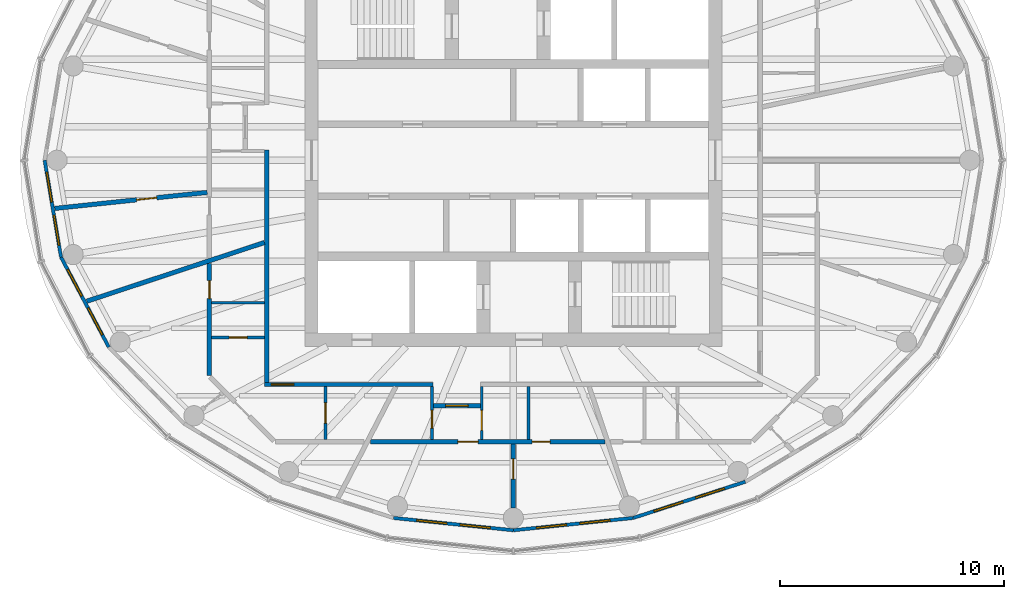
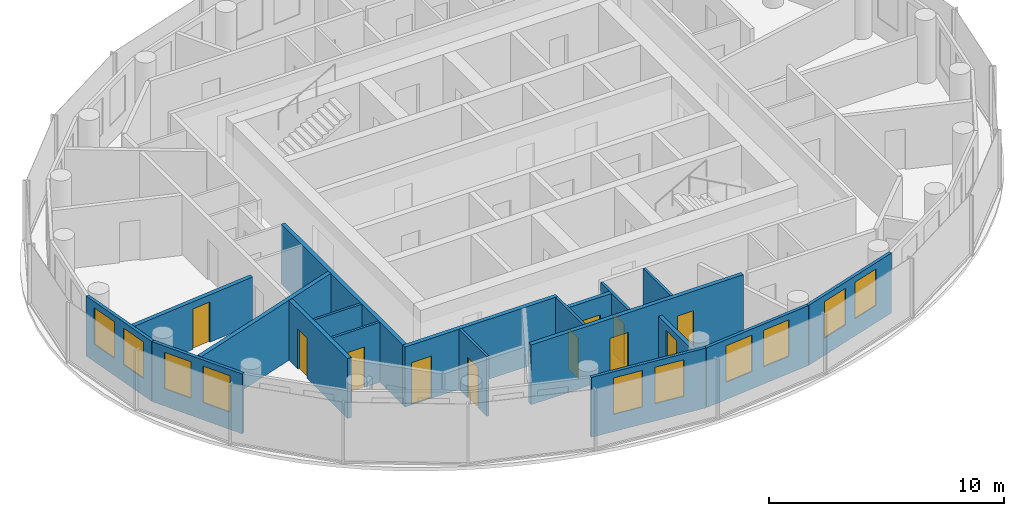
# One storey, part 5 of 11: 19 walls, 11 doors, 10 windows, 21 openings.
"""IFC4 building model written with IfcOpenShell, lengths in metres."""

from ifc_helpers import new_model, si_unit, direction, frame, frame_2d, origin, place, context, subcontext, project, spatial, rectangle, extrude, material, layer, layer_set, type_object, element, fill, save


model = new_model("IFC4")

# Units and contexts
model_context = context("Model", 3, precision=1e-05, world=origin(), true_north=direction((0.0, 1.0)))
body_context = subcontext(model_context, "Body", "Model", "MODEL_VIEW")
ifc_project = project(units=[si_unit("LENGTHUNIT", "METRE"), si_unit("AREAUNIT", "SQUARE_METRE"), si_unit("VOLUMEUNIT", "CUBIC_METRE"), si_unit("PLANEANGLEUNIT", "RADIAN"), si_unit("MASSUNIT", "GRAM", prefix="KILO")], contexts=[model_context])

# Site, building, storey
site_placement = place(None, origin())
site = spatial("IfcSite", under=ifc_project, at=site_placement, CompositionType="ELEMENT")
building_placement = place(site_placement, origin())
building = spatial("IfcBuilding", under=site, at=building_placement, Name="Hankou Lantern Tower", CompositionType="ELEMENT")
storey_placement = place(building_placement, frame((0.0, 0.0, 202.800048828125)))
storey = spatial("IfcBuildingStorey", under=building, at=storey_placement, Name="L54", CompositionType="ELEMENT", Elevation=202.800048828125)

# Wall, openings, windows
ifc_material_1 = material(Name="Aluminium spandrel panel on steel studs", Category="steel")
ifc_layer_1 = layer(ifc_material_1, 0.14990234375)
ifc_layer_set_1 = layer_set([ifc_layer_1], Name="Aluminium spandrel panel on steel studs")
wall_type_1 = type_object("IfcWallType", Name="EW1 INNER SKIN WALL 150", PredefinedType="ELEMENTEDWALL", material=ifc_layer_set_1)
wall_1_placement = place(storey_placement, frame((-20.89990234375, 0.0, 0.0), z_axis=(0.0, 0.0, 1.0), x_axis=(0.166538513568, -0.986034950445, 0.0)))
wall_1 = element("IfcWall", 1, at=wall_1_placement, inside=storey, type_object=wall_type_1, Name="Inner skin R13-R14 L54", PredefinedType="ELEMENTEDWALL", context=body_context, shape_type="SweptSolid", body=[
    extrude(rectangle(XDim=4.384765625, YDim=0.14990234375, at=frame_2d((2.1923828125, 0.0))), origin(), (0.0, 0.0, 1.0), 3.119873046875),
])
opening_1_placement = place(wall_1_placement, frame((0.54248046875, 0.0, 0.89990234375)))
opening_1 = element("IfcOpeningElement", 2, at=opening_1_placement, cuts=wall_1, Name="Opening W4", PredefinedType="OPENING", context=body_context, shape_type="SweptSolid", body=[
    extrude(rectangle(XDim=1.35009765625, YDim=1.89990234375, at=frame_2d((0.675048828125, 0.949951171875))), frame((0.0, 0.0849609375, 0.0), z_axis=(0.0, -1.0, 0.0), x_axis=(1.0, 0.0, 0.0)), (0.0, 0.0, 1.0), 0.169921875),
])
opening_2_placement = place(wall_1_placement, frame((2.492431640625, 0.0, 0.89990234375)))
opening_2 = element("IfcOpeningElement", 3, at=opening_2_placement, cuts=wall_1, Name="Opening W4", PredefinedType="OPENING", context=body_context, shape_type="SweptSolid", body=[
    extrude(rectangle(XDim=1.35009765625, YDim=1.89990234375, at=frame_2d((0.675048828125, 0.949951171875))), frame((0.0, 0.0849609375, 0.0), z_axis=(0.0, -1.0, 0.0), x_axis=(1.0, 0.0, 0.0)), (0.0, 0.0, 1.0), 0.169921875),
])
ifc_material_2 = material(Name="Aluminium framed double glazed window", Category="aluminium")
window_type = type_object("IfcWindowType", Name="W4 SUITE WINDOW 1350X1900", PartitioningType="DOUBLE_PANEL_VERTICAL", PredefinedType="WINDOW", material=ifc_material_2)
window_1_placement = place(opening_1_placement, origin())
window_1 = element("IfcWindow", 4, at=window_1_placement, inside=storey, type_object=window_type, Name="Window R13.1 L54", OverallHeight=1.89990234375, OverallWidth=1.35009765625, PartitioningType="SINGLE_PANEL", PredefinedType="WINDOW", context=body_context, shape_type="SweptSolid", body=[
    extrude(rectangle(XDim=1.35009765625, YDim=1.89990234375, at=frame_2d((0.675048828125, 0.949951171875))), frame((0.0, 0.030029296875, 0.0), z_axis=(0.0, -1.0, 0.0), x_axis=(1.0, 0.0, 0.0)), (0.0, 0.0, 1.0), 0.06005859375),
])
fill(opening_1, window_1)
window_2_placement = place(opening_2_placement, origin())
window_2 = element("IfcWindow", 5, at=window_2_placement, inside=storey, type_object=window_type, Name="Window R13.2 L54", OverallHeight=1.89990234375, OverallWidth=1.35009765625, PartitioningType="SINGLE_PANEL", PredefinedType="WINDOW", context=body_context, shape_type="SweptSolid", body=[
    extrude(rectangle(XDim=1.35009765625, YDim=1.89990234375, at=frame_2d((0.675048828125, 0.949951171875))), frame((0.0, 0.030029296875, 0.0), z_axis=(0.0, -1.0, 0.0), x_axis=(1.0, 0.0, 0.0)), (0.0, 0.0, 1.0), 0.06005859375),
])
fill(opening_2, window_2)

wall_2_placement = place(storey_placement, frame((-20.169677734375, -4.323486328125, 0.0), z_axis=(0.0, 0.0, 1.0), x_axis=(0.469256152955, -0.883062094597, 0.0)))
wall_2 = element("IfcWall", 6, at=wall_2_placement, inside=storey, type_object=wall_type_1, Name="Inner skin R14-R15 L54", PredefinedType="ELEMENTEDWALL", context=body_context, shape_type="SweptSolid", body=[
    extrude(rectangle(XDim=4.539306640625, YDim=0.14990234375, at=frame_2d((2.26953125, 0.0))), origin(), (0.0, 0.0, 1.0), 3.119873046875),
])
opening_3_placement = place(wall_2_placement, frame((0.61962890625, 0.0, 0.89990234375)))
opening_3 = element("IfcOpeningElement", 7, at=opening_3_placement, cuts=wall_2, Name="Opening W4", PredefinedType="OPENING", context=body_context, shape_type="SweptSolid", body=[
    extrude(rectangle(XDim=1.35009765625, YDim=1.89990234375, at=frame_2d((0.675048828125, 0.949951171875))), frame((0.0, 0.0849609375, 0.0), z_axis=(0.0, -1.0, 0.0), x_axis=(1.0, 0.0, 0.0)), (0.0, 0.0, 1.0), 0.169921875),
])
opening_4_placement = place(wall_2_placement, frame((2.569580078125, 0.0, 0.89990234375)))
opening_4 = element("IfcOpeningElement", 8, at=opening_4_placement, cuts=wall_2, Name="Opening W4", PredefinedType="OPENING", context=body_context, shape_type="SweptSolid", body=[
    extrude(rectangle(XDim=1.35009765625, YDim=1.89990234375, at=frame_2d((0.675048828125, 0.949951171875))), frame((0.0, 0.0849609375, 0.0), z_axis=(0.0, -1.0, 0.0), x_axis=(1.0, 0.0, 0.0)), (0.0, 0.0, 1.0), 0.169921875),
])
window_3_placement = place(opening_3_placement, origin())
window_3 = element("IfcWindow", 9, at=window_3_placement, inside=storey, type_object=window_type, Name="Window R14.1 L54", OverallHeight=1.89990234375, OverallWidth=1.35009765625, PartitioningType="SINGLE_PANEL", PredefinedType="WINDOW", context=body_context, shape_type="SweptSolid", body=[
    extrude(rectangle(XDim=1.35009765625, YDim=1.89990234375, at=frame_2d((0.675048828125, 0.949951171875))), frame((0.0, 0.030029296875, 0.0), z_axis=(0.0, -1.0, 0.0), x_axis=(1.0, 0.0, 0.0)), (0.0, 0.0, 1.0), 0.06005859375),
])
fill(opening_3, window_3)
window_4_placement = place(opening_4_placement, origin())
window_4 = element("IfcWindow", 10, at=window_4_placement, inside=storey, type_object=window_type, Name="Window R14.2 L54", OverallHeight=1.89990234375, OverallWidth=1.35009765625, PartitioningType="SINGLE_PANEL", PredefinedType="WINDOW", context=body_context, shape_type="SweptSolid", body=[
    extrude(rectangle(XDim=1.35009765625, YDim=1.89990234375, at=frame_2d((0.675048828125, 0.949951171875))), frame((0.0, 0.030029296875, 0.0), z_axis=(0.0, -1.0, 0.0), x_axis=(1.0, 0.0, 0.0)), (0.0, 0.0, 1.0), 0.06005859375),
])
fill(opening_4, window_4)

wall_3_placement = place(storey_placement, frame((-5.3427734375, -15.95166015625, 0.0), z_axis=(0.0, 0.0, 1.0), x_axis=(0.994774574972, -0.102095763818, 0.0)))
wall_3 = element("IfcWall", 11, at=wall_3_placement, inside=storey, type_object=wall_type_1, Name="Inner skin R18-R19 L54", PredefinedType="ELEMENTEDWALL", context=body_context, shape_type="SweptSolid", body=[
    extrude(rectangle(XDim=5.370849609375, YDim=0.14990234375, at=frame_2d((2.685546875, 0.0))), origin(), (0.0, 0.0, 1.0), 3.119873046875),
])
opening_5_placement = place(wall_3_placement, frame((1.035400390625, 0.0, 0.89990234375)))
opening_5 = element("IfcOpeningElement", 12, at=opening_5_placement, cuts=wall_3, Name="Opening W4", PredefinedType="OPENING", context=body_context, shape_type="SweptSolid", body=[
    extrude(rectangle(XDim=1.35009765625, YDim=1.89990234375, at=frame_2d((0.675048828125, 0.949951171875))), frame((0.0, 0.0849609375, 0.0), z_axis=(0.0, -1.0, 0.0), x_axis=(1.0, 0.0, 0.0)), (0.0, 0.0, 1.0), 0.169921875),
])
opening_6_placement = place(wall_3_placement, frame((2.9853515625, 0.0, 0.89990234375)))
opening_6 = element("IfcOpeningElement", 13, at=opening_6_placement, cuts=wall_3, Name="Opening W4", PredefinedType="OPENING", context=body_context, shape_type="SweptSolid", body=[
    extrude(rectangle(XDim=1.35009765625, YDim=1.89990234375, at=frame_2d((0.675048828125, 0.949951171875))), frame((0.0, 0.0849609375, 0.0), z_axis=(0.0, -1.0, 0.0), x_axis=(1.0, 0.0, 0.0)), (0.0, 0.0, 1.0), 0.169921875),
])
window_5_placement = place(opening_5_placement, origin())
window_5 = element("IfcWindow", 14, at=window_5_placement, inside=storey, type_object=window_type, Name="Window R18.1 L54", OverallHeight=1.89990234375, OverallWidth=1.35009765625, PartitioningType="SINGLE_PANEL", PredefinedType="WINDOW", context=body_context, shape_type="SweptSolid", body=[
    extrude(rectangle(XDim=1.35009765625, YDim=1.89990234375, at=frame_2d((0.675048828125, 0.949951171875))), frame((0.0, 0.030029296875, 0.0), z_axis=(0.0, -1.0, 0.0), x_axis=(1.0, 0.0, 0.0)), (0.0, 0.0, 1.0), 0.06005859375),
])
fill(opening_5, window_5)
window_6_placement = place(opening_6_placement, origin())
window_6 = element("IfcWindow", 15, at=window_6_placement, inside=storey, type_object=window_type, Name="Window R18.2 L54", OverallHeight=1.89990234375, OverallWidth=1.35009765625, PartitioningType="SINGLE_PANEL", PredefinedType="WINDOW", context=body_context, shape_type="SweptSolid", body=[
    extrude(rectangle(XDim=1.35009765625, YDim=1.89990234375, at=frame_2d((0.675048828125, 0.949951171875))), frame((0.0, 0.030029296875, 0.0), z_axis=(0.0, -1.0, 0.0), x_axis=(1.0, 0.0, 0.0)), (0.0, 0.0, 1.0), 0.06005859375),
])
fill(opening_6, window_6)

wall_4_placement = place(storey_placement, frame((0.0, -16.5, 0.0), z_axis=(0.0, 0.0, 1.0), x_axis=(0.994774574972, 0.102095763818, 0.0)))
wall_4 = element("IfcWall", 16, at=wall_4_placement, inside=storey, type_object=wall_type_1, Name="Inner skin R19-R20 L54", PredefinedType="ELEMENTEDWALL", context=body_context, shape_type="SweptSolid", body=[
    extrude(rectangle(XDim=5.370849609375, YDim=0.14990234375, at=frame_2d((2.685546875, 0.0))), origin(), (0.0, 0.0, 1.0), 3.119873046875),
])
opening_7_placement = place(wall_4_placement, frame((1.035400390625, 0.0, 0.89990234375)))
opening_7 = element("IfcOpeningElement", 17, at=opening_7_placement, cuts=wall_4, Name="Opening W4", PredefinedType="OPENING", context=body_context, shape_type="SweptSolid", body=[
    extrude(rectangle(XDim=1.35009765625, YDim=1.89990234375, at=frame_2d((0.675048828125, 0.949951171875))), frame((0.0, 0.0849609375, 0.0), z_axis=(0.0, -1.0, 0.0), x_axis=(1.0, 0.0, 0.0)), (0.0, 0.0, 1.0), 0.169921875),
])
opening_8_placement = place(wall_4_placement, frame((2.9853515625, 0.0, 0.89990234375)))
opening_8 = element("IfcOpeningElement", 18, at=opening_8_placement, cuts=wall_4, Name="Opening W4", PredefinedType="OPENING", context=body_context, shape_type="SweptSolid", body=[
    extrude(rectangle(XDim=1.35009765625, YDim=1.89990234375, at=frame_2d((0.675048828125, 0.949951171875))), frame((0.0, 0.0849609375, 0.0), z_axis=(0.0, -1.0, 0.0), x_axis=(1.0, 0.0, 0.0)), (0.0, 0.0, 1.0), 0.169921875),
])
window_7_placement = place(opening_7_placement, origin())
window_7 = element("IfcWindow", 19, at=window_7_placement, inside=storey, type_object=window_type, Name="Window R19.1 L54", OverallHeight=1.89990234375, OverallWidth=1.35009765625, PartitioningType="SINGLE_PANEL", PredefinedType="WINDOW", context=body_context, shape_type="SweptSolid", body=[
    extrude(rectangle(XDim=1.35009765625, YDim=1.89990234375, at=frame_2d((0.675048828125, 0.949951171875))), frame((0.0, 0.030029296875, 0.0), z_axis=(0.0, -1.0, 0.0), x_axis=(1.0, 0.0, 0.0)), (0.0, 0.0, 1.0), 0.06005859375),
])
fill(opening_7, window_7)
window_8_placement = place(opening_8_placement, origin())
window_8 = element("IfcWindow", 20, at=window_8_placement, inside=storey, type_object=window_type, Name="Window R19.2 L54", OverallHeight=1.89990234375, OverallWidth=1.35009765625, PartitioningType="SINGLE_PANEL", PredefinedType="WINDOW", context=body_context, shape_type="SweptSolid", body=[
    extrude(rectangle(XDim=1.35009765625, YDim=1.89990234375, at=frame_2d((0.675048828125, 0.949951171875))), frame((0.0, 0.030029296875, 0.0), z_axis=(0.0, -1.0, 0.0), x_axis=(1.0, 0.0, 0.0)), (0.0, 0.0, 1.0), 0.06005859375),
])
fill(opening_8, window_8)

wall_5_placement = place(storey_placement, frame((5.3427734375, -15.95166015625, 0.0), z_axis=(0.0, 0.0, 1.0), x_axis=(0.951644702515, 0.307200846638, 0.0)))
wall_5 = element("IfcWall", 21, at=wall_5_placement, inside=storey, type_object=wall_type_1, Name="Inner skin R20-R21 L54", PredefinedType="ELEMENTEDWALL", context=body_context, shape_type="SweptSolid", body=[
    extrude(rectangle(XDim=5.2578125, YDim=0.14990234375, at=frame_2d((2.62890625, 0.0))), origin(), (0.0, 0.0, 1.0), 3.119873046875),
])
opening_9_placement = place(wall_5_placement, frame((0.97900390625, 0.0, 0.89990234375)))
opening_9 = element("IfcOpeningElement", 22, at=opening_9_placement, cuts=wall_5, Name="Opening W4", PredefinedType="OPENING", context=body_context, shape_type="SweptSolid", body=[
    extrude(rectangle(XDim=1.35009765625, YDim=1.89990234375, at=frame_2d((0.675048828125, 0.949951171875))), frame((0.0, 0.0849609375, 0.0), z_axis=(0.0, -1.0, 0.0), x_axis=(1.0, 0.0, 0.0)), (0.0, 0.0, 1.0), 0.169921875),
])
opening_10_placement = place(wall_5_placement, frame((2.928955078125, 0.0, 0.89990234375)))
opening_10 = element("IfcOpeningElement", 23, at=opening_10_placement, cuts=wall_5, Name="Opening W4", PredefinedType="OPENING", context=body_context, shape_type="SweptSolid", body=[
    extrude(rectangle(XDim=1.35009765625, YDim=1.89990234375, at=frame_2d((0.675048828125, 0.949951171875))), frame((0.0, 0.0849609375, 0.0), z_axis=(0.0, -1.0, 0.0), x_axis=(1.0, 0.0, 0.0)), (0.0, 0.0, 1.0), 0.169921875),
])
window_9_placement = place(opening_9_placement, origin())
window_9 = element("IfcWindow", 24, at=window_9_placement, inside=storey, type_object=window_type, Name="Window R20.1 L54", OverallHeight=1.89990234375, OverallWidth=1.35009765625, PartitioningType="SINGLE_PANEL", PredefinedType="WINDOW", context=body_context, shape_type="SweptSolid", body=[
    extrude(rectangle(XDim=1.35009765625, YDim=1.89990234375, at=frame_2d((0.675048828125, 0.949951171875))), frame((0.0, 0.030029296875, 0.0), z_axis=(0.0, -1.0, 0.0), x_axis=(1.0, 0.0, 0.0)), (0.0, 0.0, 1.0), 0.06005859375),
])
fill(opening_9, window_9)
window_10_placement = place(opening_10_placement, origin())
window_10 = element("IfcWindow", 25, at=window_10_placement, inside=storey, type_object=window_type, Name="Window R20.2 L54", OverallHeight=1.89990234375, OverallWidth=1.35009765625, PartitioningType="SINGLE_PANEL", PredefinedType="WINDOW", context=body_context, shape_type="SweptSolid", body=[
    extrude(rectangle(XDim=1.35009765625, YDim=1.89990234375, at=frame_2d((0.675048828125, 0.949951171875))), frame((0.0, 0.030029296875, 0.0), z_axis=(0.0, -1.0, 0.0), x_axis=(1.0, 0.0, 0.0)), (0.0, 0.0, 1.0), 0.06005859375),
])
fill(opening_10, window_10)

# Wall
ifc_material_3 = material(Name="Masonry lightweight concrete block", Category="masonry")
ifc_layer_2 = layer(ifc_material_3, 0.199951171875)
ifc_layer_set_2 = layer_set([ifc_layer_2], Name="Masonry lightweight concrete block")
wall_type_2 = type_object("IfcWallType", Name="IW1 GUEST ROOM PARTY WALL 200", PredefinedType="PARTITIONING", material=ifc_layer_set_2)
wall_6_placement = place(storey_placement, frame((-11.10009765625, -3.668701171875, 0.0), z_axis=(0.0, 0.0, 1.0), x_axis=(-0.949476668397, -0.313837627079, 0.0)))
element("IfcWall", 26, at=wall_6_placement, inside=storey, type_object=wall_type_2, Name="Party wall R14-R15", PredefinedType="PARTITIONING", context=body_context, shape_type="SweptSolid", body=[
    extrude(rectangle(XDim=8.338623046875, YDim=0.199951171875, at=frame_2d((4.16943359375, 0.0))), origin(), (0.0, 0.0, 1.0), 3.119873046875),
])

# Wall, opening, door
ifc_material_4 = material(Name="Masonry lightweight concrete block", Category="masonry")
ifc_layer_3 = layer(ifc_material_4, 0.199951171875)
ifc_layer_set_3 = layer_set([ifc_layer_3], Name="Masonry lightweight concrete block")
wall_type_3 = type_object("IfcWallType", Name="IW2 CORRIDOR WALL 200", PredefinedType="PARTITIONING", material=ifc_layer_set_3)
wall_7_placement = place(storey_placement, frame((-3.578857421875, -10.0, 0.0), z_axis=(0.0, 0.0, 1.0), x_axis=(-1.0, 0.0, 0.0)))
wall_7 = element("IfcWall", 27, at=wall_7_placement, inside=storey, type_object=wall_type_3, Name="Corridor wall south", PredefinedType="PARTITIONING", context=body_context, shape_type="SweptSolid", body=[
    extrude(rectangle(XDim=7.521240234375, YDim=0.199951171875, at=frame_2d((3.7607421875, 0.0))), origin(), (0.0, 0.0, 1.0), 3.119873046875),
])
opening_11_placement = place(wall_7_placement, frame((6.205810546875, 0.0, 0.0)))
opening_11 = element("IfcOpeningElement", 28, at=opening_11_placement, cuts=wall_7, Name="Opening D2", PredefinedType="OPENING", context=body_context, shape_type="SweptSolid", body=[
    extrude(rectangle(XDim=1.0, YDim=2.199951171875, at=frame_2d((0.5, 1.10009765625))), frame((0.0, 0.10986328125, 0.0), z_axis=(0.0, -1.0, 0.0), x_axis=(1.0, 0.0, 0.0)), (0.0, 0.0, 1.0), 0.219970703125),
])
ifc_material_5 = material(Name="Steel door leaf", Category="steel")
door_type_1 = type_object("IfcDoorType", Name="D2 SUITE DOOR 1000X2200", OperationType="SINGLE_SWING_LEFT", PredefinedType="DOOR", material=ifc_material_5)
door_1_placement = place(opening_11_placement, origin())
door_1 = element("IfcDoor", 29, at=door_1_placement, inside=storey, type_object=door_type_1, Name="Suite door 5405", OperationType="SINGLE_SWING_LEFT", OverallHeight=2.199951171875, OverallWidth=1.0, PredefinedType="DOOR", context=body_context, shape_type="SweptSolid", body=[
    extrude(rectangle(XDim=1.0, YDim=2.199951171875, at=frame_2d((0.5, 1.10009765625))), frame((0.0, 0.02490234375, 0.0), z_axis=(0.0, -1.0, 0.0), x_axis=(1.0, 0.0, 0.0)), (0.0, 0.0, 1.0), 0.050048828125),
])
fill(opening_11, door_1)

# Wall
wall_8_placement = place(storey_placement, frame((-11.0, 0.46435546875, 0.0), z_axis=(0.0, 0.0, 1.0), x_axis=(0.0, -1.0, 0.0)))
element("IfcWall", 30, at=wall_8_placement, inside=storey, type_object=wall_type_3, Name="Corridor wall west", PredefinedType="PARTITIONING", context=body_context, shape_type="SweptSolid", body=[
    extrude(rectangle(XDim=10.3642578125, YDim=0.199951171875, at=frame_2d((5.18212890625, 0.0))), origin(), (0.0, 0.0, 1.0), 3.119873046875),
])

# Wall, opening, door
wall_9_placement = place(storey_placement, frame((-3.56884765625, -10.949951171875, 0.0), z_axis=(0.0, 0.0, 1.0), x_axis=(1.0, 0.0, 0.0)))
wall_9 = element("IfcWall", 31, at=wall_9_placement, inside=storey, type_object=wall_type_3, Name="Suite entrance recess wall 5406", PredefinedType="PARTITIONING", context=body_context, shape_type="SweptSolid", body=[
    extrude(rectangle(XDim=2.099853515625, YDim=0.199951171875, at=frame_2d((1.0498046875, 0.0))), origin(), (0.0, 0.0, 1.0), 3.119873046875),
])
opening_12_placement = place(wall_9_placement, frame((0.550048828125, 0.0, 0.0)))
opening_12 = element("IfcOpeningElement", 32, at=opening_12_placement, cuts=wall_9, Name="Opening D2", PredefinedType="OPENING", context=body_context, shape_type="SweptSolid", body=[
    extrude(rectangle(XDim=1.0, YDim=2.199951171875, at=frame_2d((0.5, 1.10009765625))), frame((0.0, 0.10986328125, 0.0), z_axis=(0.0, -1.0, 0.0), x_axis=(1.0, 0.0, 0.0)), (0.0, 0.0, 1.0), 0.219970703125),
])
door_2_placement = place(opening_12_placement, origin())
door_2 = element("IfcDoor", 33, at=door_2_placement, inside=storey, type_object=door_type_1, Name="Suite door 5406", OperationType="SINGLE_SWING_RIGHT", OverallHeight=2.199951171875, OverallWidth=1.0, PredefinedType="DOOR", context=body_context, shape_type="SweptSolid", body=[
    extrude(rectangle(XDim=1.0, YDim=2.199951171875, at=frame_2d((0.5, 1.10009765625))), frame((0.0, 0.02490234375, 0.0), z_axis=(0.0, -1.0, 0.0), x_axis=(1.0, 0.0, 0.0)), (0.0, 0.0, 1.0), 0.050048828125),
])
fill(opening_12, door_2)

# Wall
ifc_material_6 = material(Name="Masonry lightweight concrete block", Category="masonry")
ifc_layer_4 = layer(ifc_material_6, 0.1201171875)
ifc_layer_set_4 = layer_set([ifc_layer_4], Name="Masonry lightweight concrete block")
wall_type_4 = type_object("IfcWallType", Name="IW3 BATHROOM WALL 120", PredefinedType="PARTITIONING", material=ifc_layer_set_4)
wall_10_placement = place(storey_placement, frame((-11.10009765625, -6.358154296875, 0.0), z_axis=(0.0, 0.0, 1.0), x_axis=(-1.0, 0.0, 0.0)))
element("IfcWall", 34, at=wall_10_placement, inside=storey, type_object=wall_type_4, Name="Box wall 5405 1", PredefinedType="PARTITIONING", context=body_context, shape_type="SweptSolid", body=[
    extrude(rectangle(XDim=2.349853515625, YDim=0.1201171875, at=frame_2d((1.1748046875, 0.0))), origin(), (0.0, 0.0, 1.0), 3.119873046875),
])

# Wall, opening, door
wall_11_placement = place(storey_placement, frame((-11.10009765625, -7.9052734375, 0.0), z_axis=(0.0, 0.0, 1.0), x_axis=(-1.0, 0.0, 0.0)))
wall_11 = element("IfcWall", 35, at=wall_11_placement, inside=storey, type_object=wall_type_4, Name="Box wall 5405 2", PredefinedType="PARTITIONING", context=body_context, shape_type="SweptSolid", body=[
    extrude(rectangle(XDim=2.349853515625, YDim=0.1201171875, at=frame_2d((1.1748046875, 0.0))), origin(), (0.0, 0.0, 1.0), 3.119873046875),
])
opening_13_placement = place(wall_11_placement, frame((0.77001953125, 0.0, 0.0)))
opening_13 = element("IfcOpeningElement", 36, at=opening_13_placement, cuts=wall_11, Name="Opening D3", PredefinedType="OPENING", context=body_context, shape_type="SweptSolid", body=[
    extrude(rectangle(XDim=0.800048828125, YDim=2.10009765625, at=frame_2d((0.39990234375, 1.050048828125))), frame((0.0, 0.070068359375, 0.0), z_axis=(0.0, -1.0, 0.0), x_axis=(1.0, 0.0, 0.0)), (0.0, 0.0, 1.0), 0.14013671875),
])
ifc_material_7 = material(Name="Timber door leaf", Category="wood")
door_type_2 = type_object("IfcDoorType", Name="D3 BATHROOM DOOR 800X2100", OperationType="SINGLE_SWING_LEFT", PredefinedType="DOOR", material=ifc_material_7)
door_3_placement = place(opening_13_placement, origin())
door_3 = element("IfcDoor", 37, at=door_3_placement, inside=storey, type_object=door_type_2, Name="Suite 5405 guest WC door", OperationType="SINGLE_SWING_LEFT", OverallHeight=2.10009765625, OverallWidth=0.800048828125, PredefinedType="DOOR", context=body_context, shape_type="SweptSolid", body=[
    extrude(rectangle(XDim=0.800048828125, YDim=2.10009765625, at=frame_2d((0.39990234375, 1.050048828125))), frame((0.0, 0.02490234375, 0.0), z_axis=(0.0, -1.0, 0.0), x_axis=(1.0, 0.0, 0.0)), (0.0, 0.0, 1.0), 0.050048828125),
])
fill(opening_13, door_3)

wall_12_placement = place(storey_placement, frame((-8.374755859375, -10.10009765625, 0.0), z_axis=(0.0, 0.0, 1.0), x_axis=(0.0, -1.0, 0.0)))
wall_12 = element("IfcWall", 38, at=wall_12_placement, inside=storey, type_object=wall_type_4, Name="Box wall 5405 3", PredefinedType="PARTITIONING", context=body_context, shape_type="SweptSolid", body=[
    extrude(rectangle(XDim=2.349853515625, YDim=0.1201171875, at=frame_2d((1.1748046875, 0.0))), origin(), (0.0, 0.0, 1.0), 3.119873046875),
])
opening_14_placement = place(wall_12_placement, frame((0.719970703125, 0.0, 0.0)))
opening_14 = element("IfcOpeningElement", 39, at=opening_14_placement, cuts=wall_12, Name="Opening D27", PredefinedType="OPENING", context=body_context, shape_type="SweptSolid", body=[
    extrude(rectangle(XDim=0.89990234375, YDim=2.10009765625, at=frame_2d((0.449951171875, 1.050048828125))), frame((0.0, 0.070068359375, 0.0), z_axis=(0.0, -1.0, 0.0), x_axis=(1.0, 0.0, 0.0)), (0.0, 0.0, 1.0), 0.14013671875),
])
ifc_material_8 = material(Name="Timber door leaf", Category="wood")
door_type_3 = type_object("IfcDoorType", Name="D27 INTERNAL DOOR 900X2100", OperationType="SINGLE_SWING_LEFT", PredefinedType="DOOR", material=ifc_material_8)
door_4_placement = place(opening_14_placement, origin())
door_4 = element("IfcDoor", 40, at=door_4_placement, inside=storey, type_object=door_type_3, Name="Suite 5405 walk-in wardrobe door", OperationType="SINGLE_SWING_LEFT", OverallHeight=2.10009765625, OverallWidth=0.89990234375, PredefinedType="DOOR", context=body_context, shape_type="SweptSolid", body=[
    extrude(rectangle(XDim=0.89990234375, YDim=2.10009765625, at=frame_2d((0.449951171875, 1.050048828125))), frame((0.0, 0.02490234375, 0.0), z_axis=(0.0, -1.0, 0.0), x_axis=(1.0, 0.0, 0.0)), (0.0, 0.0, 1.0), 0.050048828125),
])
fill(opening_14, door_4)

wall_13_placement = place(storey_placement, frame((-3.62890625, -10.10009765625, 0.0), z_axis=(0.0, 0.0, 1.0), x_axis=(0.0, -1.0, 0.0)))
wall_13 = element("IfcWall", 41, at=wall_13_placement, inside=storey, type_object=wall_type_4, Name="Box wall 5406 1", PredefinedType="PARTITIONING", context=body_context, shape_type="SweptSolid", body=[
    extrude(rectangle(XDim=2.349853515625, YDim=0.1201171875, at=frame_2d((1.1748046875, 0.0))), origin(), (0.0, 0.0, 1.0), 3.119873046875),
])
opening_15_placement = place(wall_13_placement, frame((1.050048828125, 0.0, 0.0)))
opening_15 = element("IfcOpeningElement", 42, at=opening_15_placement, cuts=wall_13, Name="Opening D3", PredefinedType="OPENING", context=body_context, shape_type="SweptSolid", body=[
    extrude(rectangle(XDim=0.800048828125, YDim=2.10009765625, at=frame_2d((0.39990234375, 1.050048828125))), frame((0.0, 0.070068359375, 0.0), z_axis=(0.0, -1.0, 0.0), x_axis=(1.0, 0.0, 0.0)), (0.0, 0.0, 1.0), 0.14013671875),
])
door_5_placement = place(opening_15_placement, origin())
door_5 = element("IfcDoor", 43, at=door_5_placement, inside=storey, type_object=door_type_2, Name="Suite 5406 guest WC door", OperationType="SINGLE_SWING_LEFT", OverallHeight=2.10009765625, OverallWidth=0.800048828125, PredefinedType="DOOR", context=body_context, shape_type="SweptSolid", body=[
    extrude(rectangle(XDim=0.800048828125, YDim=2.10009765625, at=frame_2d((0.39990234375, 1.050048828125))), frame((0.0, 0.02490234375, 0.0), z_axis=(0.0, -1.0, 0.0), x_axis=(1.0, 0.0, 0.0)), (0.0, 0.0, 1.0), 0.050048828125),
])
fill(opening_15, door_5)

wall_14_placement = place(storey_placement, frame((-1.408935546875, -10.10009765625, 0.0), z_axis=(0.0, 0.0, 1.0), x_axis=(0.0, -1.0, 0.0)))
wall_14 = element("IfcWall", 44, at=wall_14_placement, inside=storey, type_object=wall_type_4, Name="Box wall 5406 2", PredefinedType="PARTITIONING", context=body_context, shape_type="SweptSolid", body=[
    extrude(rectangle(XDim=2.349853515625, YDim=0.1201171875, at=frame_2d((1.1748046875, 0.0))), origin(), (0.0, 0.0, 1.0), 3.119873046875),
])
opening_16_placement = place(wall_14_placement, frame((1.050048828125, 0.0, 0.0)))
opening_16 = element("IfcOpeningElement", 45, at=opening_16_placement, cuts=wall_14, Name="Opening D27", PredefinedType="OPENING", context=body_context, shape_type="SweptSolid", body=[
    extrude(rectangle(XDim=0.89990234375, YDim=2.10009765625, at=frame_2d((0.449951171875, 1.050048828125))), frame((0.0, 0.070068359375, 0.0), z_axis=(0.0, -1.0, 0.0), x_axis=(1.0, 0.0, 0.0)), (0.0, 0.0, 1.0), 0.14013671875),
])
door_6_placement = place(opening_16_placement, origin())
door_6 = element("IfcDoor", 46, at=door_6_placement, inside=storey, type_object=door_type_3, Name="Suite 5406 walk-in wardrobe door", OperationType="SINGLE_SWING_RIGHT", OverallHeight=2.10009765625, OverallWidth=0.89990234375, PredefinedType="DOOR", context=body_context, shape_type="SweptSolid", body=[
    extrude(rectangle(XDim=0.89990234375, YDim=2.10009765625, at=frame_2d((0.449951171875, 1.050048828125))), frame((0.0, 0.02490234375, 0.0), z_axis=(0.0, -1.0, 0.0), x_axis=(1.0, 0.0, 0.0)), (0.0, 0.0, 1.0), 0.050048828125),
])
fill(opening_16, door_6)

# Wall
wall_15_placement = place(storey_placement, frame((0.678466796875, -10.10009765625, 0.0), z_axis=(0.0, 0.0, 1.0), x_axis=(0.0, -1.0, 0.0)))
element("IfcWall", 47, at=wall_15_placement, inside=storey, type_object=wall_type_4, Name="Box wall 5406 3", PredefinedType="PARTITIONING", context=body_context, shape_type="SweptSolid", body=[
    extrude(rectangle(XDim=2.349853515625, YDim=0.1201171875, at=frame_2d((1.1748046875, 0.0))), origin(), (0.0, 0.0, 1.0), 3.119873046875),
])

# Wall, opening, door
ifc_material_9 = material(Name="Masonry lightweight concrete block", Category="masonry")
ifc_layer_5 = layer(ifc_material_9, 0.199951171875)
ifc_layer_set_5 = layer_set([ifc_layer_5], Name="Masonry lightweight concrete block")
wall_type_5 = type_object("IfcWallType", Name="IW6 SUITE PARTITION 200", PredefinedType="PARTITIONING", material=ifc_layer_set_5)
wall_16_placement = place(storey_placement, frame((-13.64990234375, -1.433837890625, 0.0), z_axis=(0.0, 0.0, 1.0), x_axis=(-0.994526954268, -0.10448031984, 0.0)))
wall_16 = element("IfcWall", 48, at=wall_16_placement, inside=storey, type_object=wall_type_5, Name="Suite partition R13-R14", PredefinedType="PARTITIONING", context=body_context, shape_type="SweptSolid", body=[
    extrude(rectangle(XDim=6.837158203125, YDim=0.199951171875, at=frame_2d((3.41845703125, 0.0))), origin(), (0.0, 0.0, 1.0), 2.469970703125),
])
opening_17_placement = place(wall_16_placement, frame((2.27001953125, 0.0, 0.0)))
opening_17 = element("IfcOpeningElement", 49, at=opening_17_placement, cuts=wall_16, Name="Opening D27", PredefinedType="OPENING", context=body_context, shape_type="SweptSolid", body=[
    extrude(rectangle(XDim=0.89990234375, YDim=2.10009765625, at=frame_2d((0.449951171875, 1.050048828125))), frame((0.0, 0.10986328125, 0.0), z_axis=(0.0, -1.0, 0.0), x_axis=(1.0, 0.0, 0.0)), (0.0, 0.0, 1.0), 0.219970703125),
])
door_7_placement = place(opening_17_placement, origin())
door_7 = element("IfcDoor", 50, at=door_7_placement, inside=storey, type_object=door_type_3, Name="Family suite 5404 second bedroom door", OperationType="SINGLE_SWING_LEFT", OverallHeight=2.10009765625, OverallWidth=0.89990234375, PredefinedType="DOOR", context=body_context, shape_type="SweptSolid", body=[
    extrude(rectangle(XDim=0.89990234375, YDim=2.10009765625, at=frame_2d((0.449951171875, 1.050048828125))), frame((0.0, 0.02490234375, 0.0), z_axis=(0.0, -1.0, 0.0), x_axis=(1.0, 0.0, 0.0)), (0.0, 0.0, 1.0), 0.050048828125),
])
fill(opening_17, door_7)

wall_17_placement = place(storey_placement, frame((-13.550048828125, -4.599853515625, 0.0), z_axis=(0.0, 0.0, 1.0), x_axis=(0.0, -1.0, 0.0)))
wall_17 = element("IfcWall", 51, at=wall_17_placement, inside=storey, type_object=wall_type_5, Name="Suite foyer wall 5405", PredefinedType="PARTITIONING", context=body_context, shape_type="SweptSolid", body=[
    extrude(rectangle(XDim=5.0087890625, YDim=0.199951171875, at=frame_2d((2.50439453125, 0.0))), origin(), (0.0, 0.0, 1.0), 3.119873046875),
])
opening_18_placement = place(wall_17_placement, frame((0.773681640625, 0.0, 0.0)))
opening_18 = element("IfcOpeningElement", 52, at=opening_18_placement, cuts=wall_17, Name="Opening D3", PredefinedType="OPENING", context=body_context, shape_type="SweptSolid", body=[
    extrude(rectangle(XDim=0.800048828125, YDim=2.10009765625, at=frame_2d((0.39990234375, 1.050048828125))), frame((0.0, 0.10986328125, 0.0), z_axis=(0.0, -1.0, 0.0), x_axis=(1.0, 0.0, 0.0)), (0.0, 0.0, 1.0), 0.219970703125),
])
door_8_placement = place(opening_18_placement, origin())
door_8 = element("IfcDoor", 53, at=door_8_placement, inside=storey, type_object=door_type_2, Name="Suite 5405 bathroom door", OperationType="SINGLE_SWING_RIGHT", OverallHeight=2.10009765625, OverallWidth=0.800048828125, PredefinedType="DOOR", context=body_context, shape_type="SweptSolid", body=[
    extrude(rectangle(XDim=0.800048828125, YDim=2.10009765625, at=frame_2d((0.39990234375, 1.050048828125))), frame((0.0, 0.02490234375, 0.0), z_axis=(0.0, -1.0, 0.0), x_axis=(1.0, 0.0, 0.0)), (0.0, 0.0, 1.0), 0.050048828125),
])
fill(opening_18, door_8)

# Wall, openings, doors
wall_18_placement = place(storey_placement, frame((-6.36376953125, -12.550048828125, 0.0), z_axis=(0.0, 0.0, 1.0), x_axis=(1.0, 0.0, 0.0)))
wall_18 = element("IfcWall", 54, at=wall_18_placement, inside=storey, type_object=wall_type_5, Name="Suite foyer wall 5406", PredefinedType="PARTITIONING", context=body_context, shape_type="SweptSolid", body=[
    extrude(rectangle(XDim=10.44580078125, YDim=0.199951171875, at=frame_2d((5.222900390625, 0.0))), origin(), (0.0, 0.0, 1.0), 3.119873046875),
])
opening_19_placement = place(wall_18_placement, frame((7.2021484375, 0.0, 0.0)))
opening_19 = element("IfcOpeningElement", 55, at=opening_19_placement, cuts=wall_18, Name="Opening D3", PredefinedType="OPENING", context=body_context, shape_type="SweptSolid", body=[
    extrude(rectangle(XDim=0.800048828125, YDim=2.10009765625, at=frame_2d((0.39990234375, 1.050048828125))), frame((0.0, 0.10986328125, 0.0), z_axis=(0.0, -1.0, 0.0), x_axis=(1.0, 0.0, 0.0)), (0.0, 0.0, 1.0), 0.219970703125),
])
opening_20_placement = place(wall_18_placement, frame((3.894775390625, 0.0, 0.0)))
opening_20 = element("IfcOpeningElement", 56, at=opening_20_placement, cuts=wall_18, Name="Opening D27", PredefinedType="OPENING", context=body_context, shape_type="SweptSolid", body=[
    extrude(rectangle(XDim=0.89990234375, YDim=2.10009765625, at=frame_2d((0.449951171875, 1.050048828125))), frame((0.0, 0.10986328125, 0.0), z_axis=(0.0, -1.0, 0.0), x_axis=(1.0, 0.0, 0.0)), (0.0, 0.0, 1.0), 0.219970703125),
])
door_9_placement = place(opening_20_placement, origin())
door_9 = element("IfcDoor", 57, at=door_9_placement, inside=storey, type_object=door_type_3, Name="Suite 5406 living room door", OperationType="SINGLE_SWING_RIGHT", OverallHeight=2.10009765625, OverallWidth=0.89990234375, PredefinedType="DOOR", context=body_context, shape_type="SweptSolid", body=[
    extrude(rectangle(XDim=0.89990234375, YDim=2.10009765625, at=frame_2d((0.449951171875, 1.050048828125))), frame((0.0, 0.02490234375, 0.0), z_axis=(0.0, -1.0, 0.0), x_axis=(1.0, 0.0, 0.0)), (0.0, 0.0, 1.0), 0.050048828125),
])
fill(opening_20, door_9)
door_10_placement = place(opening_19_placement, origin())
door_10 = element("IfcDoor", 58, at=door_10_placement, inside=storey, type_object=door_type_2, Name="Suite 5406 bathroom door", OperationType="SINGLE_SWING_LEFT", OverallHeight=2.10009765625, OverallWidth=0.800048828125, PredefinedType="DOOR", context=body_context, shape_type="SweptSolid", body=[
    extrude(rectangle(XDim=0.800048828125, YDim=2.10009765625, at=frame_2d((0.39990234375, 1.050048828125))), frame((0.0, 0.02490234375, 0.0), z_axis=(0.0, -1.0, 0.0), x_axis=(1.0, 0.0, 0.0)), (0.0, 0.0, 1.0), 0.050048828125),
])
fill(opening_19, door_10)

# Wall, opening, door
wall_19_placement = place(storey_placement, frame((0.0, -12.64990234375, 0.0), z_axis=(0.0, 0.0, 1.0), x_axis=(0.0, -1.0, 0.0)))
wall_19 = element("IfcWall", 59, at=wall_19_placement, inside=storey, type_object=wall_type_5, Name="Suite partition R19", PredefinedType="PARTITIONING", context=body_context, shape_type="SweptSolid", body=[
    extrude(rectangle(XDim=2.85009765625, YDim=0.199951171875, at=frame_2d((1.425048828125, 0.0))), origin(), (0.0, 0.0, 1.0), 2.419921875),
])
opening_21_placement = place(wall_19_placement, frame((0.669921875, 0.0, 0.0)))
opening_21 = element("IfcOpeningElement", 60, at=opening_21_placement, cuts=wall_19, Name="Opening D27", PredefinedType="OPENING", context=body_context, shape_type="SweptSolid", body=[
    extrude(rectangle(XDim=0.89990234375, YDim=2.10009765625, at=frame_2d((0.449951171875, 1.050048828125))), frame((0.0, 0.10986328125, 0.0), z_axis=(0.0, -1.0, 0.0), x_axis=(1.0, 0.0, 0.0)), (0.0, 0.0, 1.0), 0.219970703125),
])
door_11_placement = place(opening_21_placement, origin())
door_11 = element("IfcDoor", 61, at=door_11_placement, inside=storey, type_object=door_type_3, Name="Suite 5406 bedroom door", OperationType="SINGLE_SWING_LEFT", OverallHeight=2.10009765625, OverallWidth=0.89990234375, PredefinedType="DOOR", context=body_context, shape_type="SweptSolid", body=[
    extrude(rectangle(XDim=0.89990234375, YDim=2.10009765625, at=frame_2d((0.449951171875, 1.050048828125))), frame((0.0, 0.02490234375, 0.0), z_axis=(0.0, -1.0, 0.0), x_axis=(1.0, 0.0, 0.0)), (0.0, 0.0, 1.0), 0.050048828125),
])
fill(opening_21, door_11)

save(model, "model.ifc")
